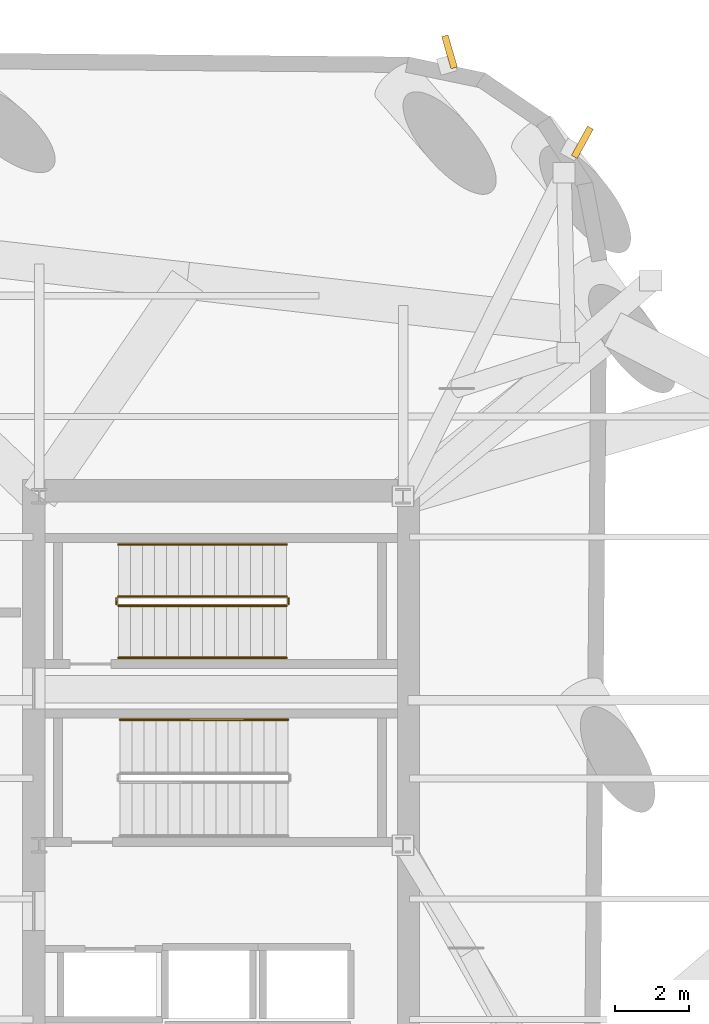
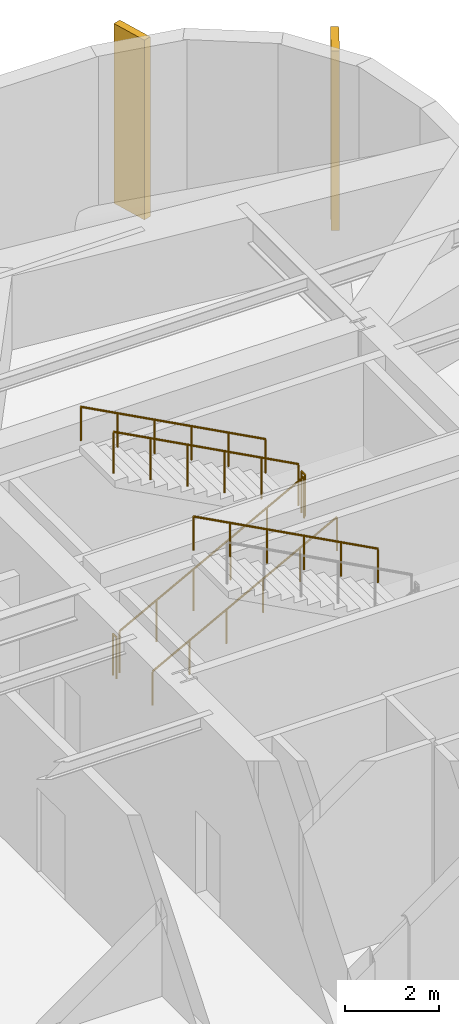
# One storey, part 13 of 13: 7 railings, 2 shading devices.
"""IFC4 building model written with IfcOpenShell, lengths in metres."""

from ifc_helpers import new_model, si_unit, direction, frame, origin, origin_2d, place, context, subcontext, project, spatial, rectangle, circle, extrude, material, type_object, element, save


model = new_model("IFC4")

# Units and contexts
model_context = context("Model", 3, precision=1e-05, world=origin(), true_north=direction((0.0, 1.0)))
body_context = subcontext(model_context, "Body", "Model", "MODEL_VIEW")
ifc_project = project(units=[si_unit("LENGTHUNIT", "METRE"), si_unit("AREAUNIT", "SQUARE_METRE"), si_unit("VOLUMEUNIT", "CUBIC_METRE"), si_unit("PLANEANGLEUNIT", "RADIAN"), si_unit("MASSUNIT", "GRAM", prefix="KILO")], contexts=[model_context])

# Site, building, storey
site_placement = place(None, origin())
site = spatial("IfcSite", under=ifc_project, at=site_placement, CompositionType="ELEMENT")
building_placement = place(site_placement, origin())
building = spatial("IfcBuilding", under=site, at=building_placement, Name="Kolvaren Arena Tower", CompositionType="ELEMENT")
storey_placement = place(building_placement, frame((0.0, 0.0, 210.949951171875)))
storey = spatial("IfcBuildingStorey", under=building, at=storey_placement, Name="L51", CompositionType="ELEMENT", Elevation=210.949951171875)

# Railings
ifc_material_1 = material(Name="Painted galvanized steel", Category="steel")
railing_type_1 = type_object("IfcRailingType", Name="GUARD-ST-110", PredefinedType="GUARDRAIL", material=ifc_material_1)
railing_1_placement = place(storey_placement, frame((52.679931640625, 36.39990234375, 0.17333984375)))
element("IfcRailing", 1, at=railing_1_placement, inside=storey, type_object=railing_type_1, Name="L51 ST-E2 stair guard 1", PredefinedType="GUARDRAIL", context=body_context, shape_type="SweptSolid", body=[
    extrude(circle(Radius=0.02392578125, at=origin_2d()), frame((0.0, 0.0, 1.076171875), z_axis=(0.88174791909, 0.0, 0.471720899664), x_axis=(0.0, 1.0, 0.0)), (0.0, 0.0, 1.0), 5.14453125),
    extrude(circle(Radius=0.02099609375, at=origin_2d()), origin(), (0.0, 0.0, 1.0), 1.052001953125),
    extrude(circle(Radius=0.02099609375, at=origin_2d()), frame((0.9072265625, 0.0, 0.4853515625)), (0.0, 0.0, 1.0), 1.052001953125),
    extrude(circle(Radius=0.02099609375, at=origin_2d()), frame((1.814453125, 0.0, 0.970703125)), (0.0, 0.0, 1.0), 1.052001953125),
    extrude(circle(Radius=0.02099609375, at=origin_2d()), frame((2.7216796875, 0.0, 1.4560546875)), (0.0, 0.0, 1.0), 1.052001953125),
    extrude(circle(Radius=0.02099609375, at=origin_2d()), frame((3.62890625, 0.0, 1.94140625)), (0.0, 0.0, 1.0), 1.052001953125),
    extrude(circle(Radius=0.02099609375, at=origin_2d()), frame((4.5361328125, 0.0, 2.4267578125)), (0.0, 0.0, 1.0), 1.052001953125),
])
railing_2_placement = place(storey_placement, frame((57.26611328125, 36.449951171875, 2.60009765625)))
element("IfcRailing", 2, at=railing_2_placement, inside=storey, type_object=railing_type_1, Name="L51 ST-E2 stair guard 2", PredefinedType="GUARDRAIL", context=body_context, shape_type="SweptSolid", body=[
    extrude(circle(Radius=0.02392578125, at=origin_2d()), frame((0.0, 0.0, 1.076171875), z_axis=(0.0, 1.0, 0.0), x_axis=(-1.0, 0.0, 0.0)), (0.0, 0.0, 1.0), 0.150146484375),
    extrude(circle(Radius=0.02099609375, at=origin_2d()), origin(), (0.0, 0.0, 1.0), 1.052001953125),
    extrude(circle(Radius=0.02099609375, at=origin_2d()), frame((0.0, 0.150146484375, 0.0)), (0.0, 0.0, 1.0), 1.052001953125),
])
railing_3_placement = place(storey_placement, frame((57.216064453125, 36.64990234375, 2.7734375)))
element("IfcRailing", 3, at=railing_3_placement, inside=storey, type_object=railing_type_1, Name="L51 ST-E2 stair guard 3", PredefinedType="GUARDRAIL", context=body_context, shape_type="SweptSolid", body=[
    extrude(circle(Radius=0.02392578125, at=origin_2d()), frame((0.0, 0.0, 1.076171875), z_axis=(-0.881767657903, 0.0, 0.471684001717), x_axis=(0.0, -1.0, 0.0)), (0.0, 0.0, 1.0), 5.144287109375),
    extrude(circle(Radius=0.02099609375, at=origin_2d()), origin(), (0.0, 0.0, 1.0), 1.052001953125),
    extrude(circle(Radius=0.02099609375, at=origin_2d()), frame((-0.9072265625, 0.0, 0.4853515625)), (0.0, 0.0, 1.0), 1.052001953125),
    extrude(circle(Radius=0.02099609375, at=origin_2d()), frame((-1.814453125, 0.0, 0.970703125)), (0.0, 0.0, 1.0), 1.052001953125),
    extrude(circle(Radius=0.02099609375, at=origin_2d()), frame((-2.7216796875, 0.0, 1.455810546875)), (0.0, 0.0, 1.0), 1.052001953125),
    extrude(circle(Radius=0.02099609375, at=origin_2d()), frame((-3.62890625, 0.0, 1.941162109375)), (0.0, 0.0, 1.0), 1.052001953125),
    extrude(circle(Radius=0.02099609375, at=origin_2d()), frame((-4.5361328125, 0.0, 2.426513671875)), (0.0, 0.0, 1.0), 1.052001953125),
])
railing_4_placement = place(storey_placement, frame((52.6298828125, 36.449951171875, 0.0)))
element("IfcRailing", 4, at=railing_4_placement, inside=storey, type_object=railing_type_1, Name="L51 ST-E2 stair guard 4", PredefinedType="GUARDRAIL", context=body_context, shape_type="SweptSolid", body=[
    extrude(circle(Radius=0.02392578125, at=origin_2d()), frame((0.0, 0.0, 1.076171875), z_axis=(0.0, 1.0, 0.0), x_axis=(-1.0, 0.0, 0.0)), (0.0, 0.0, 1.0), 0.150146484375),
    extrude(circle(Radius=0.02099609375, at=origin_2d()), origin(), (0.0, 0.0, 1.0), 1.052001953125),
    extrude(circle(Radius=0.02099609375, at=origin_2d()), frame((0.0, 0.150146484375, 0.0)), (0.0, 0.0, 1.0), 1.052001953125),
])
ifc_material_2 = material(Name="Brushed stainless steel handrail", Category="steel")
railing_type_2 = type_object("IfcRailingType", Name="HRAIL-900", PredefinedType="HANDRAIL", material=ifc_material_2)
railing_5_placement = place(storey_placement, frame((57.256103515625, 33.330078125, 2.7734375)))
element("IfcRailing", 5, at=railing_5_placement, inside=storey, type_object=railing_type_2, Name="L51 ST-E1 stair handrail 2", PredefinedType="HANDRAIL", context=body_context, shape_type="SweptSolid", body=[
    extrude(circle(Radius=0.02392578125, at=origin_2d()), frame((0.0, 0.0, 0.8759765625), z_axis=(-0.881767657903, 0.0, 0.471684001717), x_axis=(0.0, -1.0, 0.0)), (0.0, 0.0, 1.0), 5.144287109375),
    extrude(circle(Radius=0.02099609375, at=origin_2d()), origin(), (0.0, 0.0, 1.0), 0.851806640625),
    extrude(circle(Radius=0.02099609375, at=origin_2d()), frame((-0.9072265625, 0.0, 0.4853515625)), (0.0, 0.0, 1.0), 0.851806640625),
    extrude(circle(Radius=0.02099609375, at=origin_2d()), frame((-1.814453125, 0.0, 0.970703125)), (0.0, 0.0, 1.0), 0.851806640625),
    extrude(circle(Radius=0.02099609375, at=origin_2d()), frame((-2.7216796875, 0.0, 1.455810546875)), (0.0, 0.0, 1.0), 0.851806640625),
    extrude(circle(Radius=0.02099609375, at=origin_2d()), frame((-3.62890625, 0.0, 1.941162109375)), (0.0, 0.0, 1.0), 0.851806640625),
    extrude(circle(Radius=0.02099609375, at=origin_2d()), frame((-4.5361328125, 0.0, 2.426513671875)), (0.0, 0.0, 1.0), 0.851806640625),
])
railing_6_placement = place(storey_placement, frame((52.679931640625, 35.0, 0.17333984375)))
element("IfcRailing", 6, at=railing_6_placement, inside=storey, type_object=railing_type_2, Name="L51 ST-E2 stair handrail 1", PredefinedType="HANDRAIL", context=body_context, shape_type="SweptSolid", body=[
    extrude(circle(Radius=0.02392578125, at=origin_2d()), frame((0.0, 0.0, 0.8759765625), z_axis=(0.88174791909, 0.0, 0.471720899664), x_axis=(0.0, 1.0, 0.0)), (0.0, 0.0, 1.0), 5.14453125),
    extrude(circle(Radius=0.02099609375, at=origin_2d()), origin(), (0.0, 0.0, 1.0), 0.851806640625),
    extrude(circle(Radius=0.02099609375, at=origin_2d()), frame((0.9072265625, 0.0, 0.4853515625)), (0.0, 0.0, 1.0), 0.851806640625),
    extrude(circle(Radius=0.02099609375, at=origin_2d()), frame((1.814453125, 0.0, 0.970703125)), (0.0, 0.0, 1.0), 0.851806640625),
    extrude(circle(Radius=0.02099609375, at=origin_2d()), frame((2.7216796875, 0.0, 1.4560546875)), (0.0, 0.0, 1.0), 0.851806640625),
    extrude(circle(Radius=0.02099609375, at=origin_2d()), frame((3.62890625, 0.0, 1.94140625)), (0.0, 0.0, 1.0), 0.851806640625),
    extrude(circle(Radius=0.02099609375, at=origin_2d()), frame((4.5361328125, 0.0, 2.4267578125)), (0.0, 0.0, 1.0), 0.851806640625),
])
railing_7_placement = place(storey_placement, frame((57.216064453125, 38.050048828125, 2.7734375)))
element("IfcRailing", 7, at=railing_7_placement, inside=storey, type_object=railing_type_2, Name="L51 ST-E2 stair handrail 2", PredefinedType="HANDRAIL", context=body_context, shape_type="SweptSolid", body=[
    extrude(circle(Radius=0.02392578125, at=origin_2d()), frame((0.0, 0.0, 0.8759765625), z_axis=(-0.881767657903, 0.0, 0.471684001717), x_axis=(0.0, -1.0, 0.0)), (0.0, 0.0, 1.0), 5.144287109375),
    extrude(circle(Radius=0.02099609375, at=origin_2d()), origin(), (0.0, 0.0, 1.0), 0.851806640625),
    extrude(circle(Radius=0.02099609375, at=origin_2d()), frame((-0.9072265625, 0.0, 0.4853515625)), (0.0, 0.0, 1.0), 0.851806640625),
    extrude(circle(Radius=0.02099609375, at=origin_2d()), frame((-1.814453125, 0.0, 0.970703125)), (0.0, 0.0, 1.0), 0.851806640625),
    extrude(circle(Radius=0.02099609375, at=origin_2d()), frame((-2.7216796875, 0.0, 1.455810546875)), (0.0, 0.0, 1.0), 0.851806640625),
    extrude(circle(Radius=0.02099609375, at=origin_2d()), frame((-3.62890625, 0.0, 1.941162109375)), (0.0, 0.0, 1.0), 0.851806640625),
    extrude(circle(Radius=0.02099609375, at=origin_2d()), frame((-4.5361328125, 0.0, 2.426513671875)), (0.0, 0.0, 1.0), 0.851806640625),
])

# Shading devices
ifc_material_3 = material(Name="Precast architectural concrete C50/60 rib fin", Category="concrete")
shading_device_type = type_object("IfcShadingDeviceType", Name="SHAD-FIN-28", PredefinedType="USERDEFINED", material=ifc_material_3)
for number, where, z_axis, x_axis, name in (
    (8, (65.18115234375, 48.885009765625, 0.02001953125), (0.0, 0.0, 1.0), (0.480994889615, 0.876723397751, 0.0), "Precast 28-Deg Corner Rib Fin (L51)"),
    (9, (61.602783203125, 51.321533203125, 0.02001953125), (0.0, 0.0, 1.0), (-0.279812257957, 0.960054738177, 0.0), "Precast 28-Deg Corner Rib Fin (L51)"),
):
    element("IfcShadingDevice", number, at=place(storey_placement, frame(where, z_axis=z_axis, x_axis=x_axis)), inside=storey, type_object=shading_device_type, Name=name, ObjectType="FIN", PredefinedType="USERDEFINED", context=body_context, shape_type="SweptSolid", body=[
        extrude(rectangle(XDim=0.89990234375, YDim=0.179931640625, at=origin_2d()), origin(), (0.0, 0.0, 1.0), 4.669921875),
    ])

save(model, "model.ifc")
